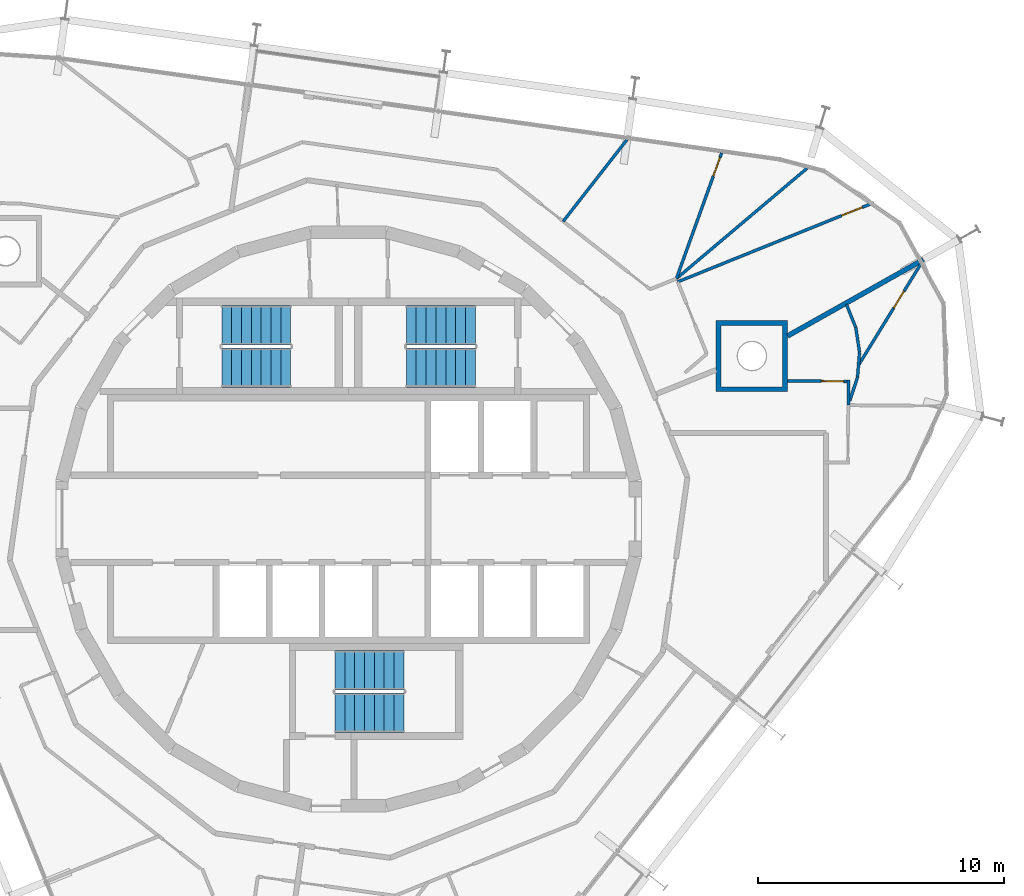
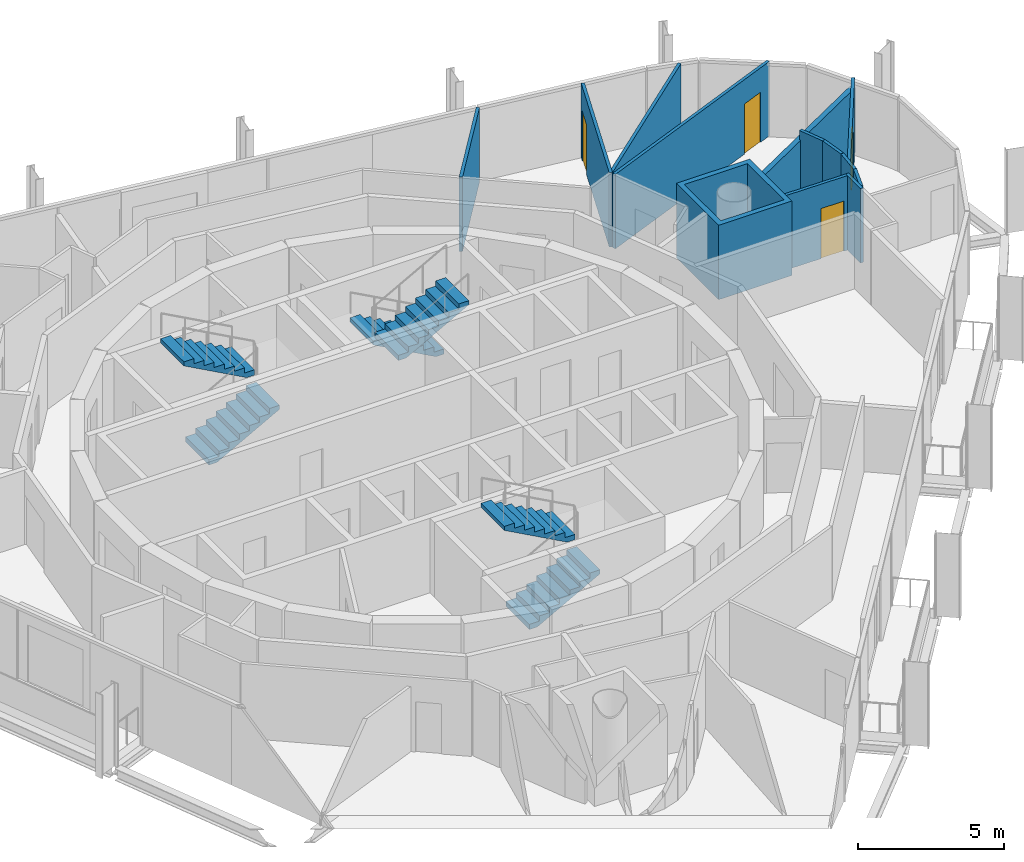
# One storey, part 14 of 15: 13 walls, 6 stair flights, 4 doors, 4 openings, 3 elements without a shape of their own.
"""IFC4 building model written with IfcOpenShell, lengths in metres."""

from ifc_helpers import new_model, si_unit, direction, frame, frame_2d, origin, place, context, subcontext, project, spatial, polyline, rectangle, outline, extrude, material, layer, layer_set, type_object, element, fill, aggregate, save


model = new_model("IFC4")

# Units and contexts
model_context = context("Model", 3, precision=1e-05, world=origin(), true_north=direction((0.0, 1.0)))
body_context = subcontext(model_context, "Body", "Model", "MODEL_VIEW")
ifc_project = project(units=[si_unit("LENGTHUNIT", "METRE"), si_unit("AREAUNIT", "SQUARE_METRE"), si_unit("VOLUMEUNIT", "CUBIC_METRE"), si_unit("PLANEANGLEUNIT", "RADIAN"), si_unit("MASSUNIT", "GRAM", prefix="KILO")], contexts=[model_context])

# Site, building, storey
site_placement = place(None, origin())
site = spatial("IfcSite", under=ifc_project, at=site_placement, CompositionType="ELEMENT")
building_placement = place(site_placement, origin())
building = spatial("IfcBuilding", under=site, at=building_placement, Name="Spindle Arch Residences", CompositionType="ELEMENT")
storey_placement = place(building_placement, frame((0.0, 0.0, 354.0)))
storey = spatial("IfcBuildingStorey", under=building, at=storey_placement, Name="L91", CompositionType="ELEMENT", Elevation=354.0)

# Wall
ifc_material_1 = material(Name="Plasterboard on steel studs", Category="steel")
ifc_layer_1 = layer(ifc_material_1, 0.1201171875)
ifc_layer_set_1 = layer_set([ifc_layer_1], Name="Flat partition 120")
wall_type_1 = type_object("IfcWallType", Name="Flat partition 120", PredefinedType="PARTITIONING", material=ifc_layer_set_1)
wall_1_placement = place(storey_placement, frame((20.30615234375, 4.638671875, 0.0), z_axis=(0.0, 0.0, 1.0), x_axis=(0.008906724211, 0.999960334345, 0.0)))
element("IfcWall", 1, at=wall_1_placement, inside=storey, type_object=wall_type_1, Name="Flat partition R9C0-W032", PredefinedType="PARTITIONING", context=body_context, shape_type="SweptSolid", body=[
    extrude(rectangle(XDim=1.01416015625, YDim=0.1201171875, at=frame_2d((0.507080078125, 0.0))), origin(), (0.0, 0.0, 1.0), 3.1201171875),
])

# Wall, opening, door
wall_2_placement = place(storey_placement, frame((20.314697265625, 5.593017578125, 0.0), z_axis=(0.0, 0.0, 1.0), x_axis=(-0.999960597409, 0.008877140833, 0.0)))
wall_2 = element("IfcWall", 2, at=wall_2_placement, inside=storey, type_object=wall_type_1, Name="Flat partition R9C0-W033", PredefinedType="PARTITIONING", context=body_context, shape_type="SweptSolid", body=[
    extrude(rectangle(XDim=2.47509765625, YDim=0.1201171875, at=frame_2d((1.237548828125, 0.0))), origin(), (0.0, 0.0, 1.0), 3.1201171875),
])
opening_1_placement = place(wall_2_placement, frame((0.199951171875, 0.0, 0.0)))
opening_1 = element("IfcOpeningElement", 3, at=opening_1_placement, cuts=wall_2, Name="Opening R9C0-ID02", PredefinedType="OPENING", context=body_context, shape_type="SweptSolid", body=[
    extrude(rectangle(XDim=0.89990234375, YDim=2.10009765625, at=frame_2d((0.449951171875, 1.050048828125))), frame((0.0, 0.070068359375, 0.0), z_axis=(0.0, -1.0, 0.0), x_axis=(1.0, 0.0, 0.0)), (0.0, 0.0, 1.0), 0.14013671875),
])
ifc_material_2 = material(Name="Timber door set", Category="wood")
door_type_1 = type_object("IfcDoorType", Name="Room door 900x2100", OperationType="NOTDEFINED", PredefinedType="DOOR", material=ifc_material_2)
door_1_placement = place(opening_1_placement, origin())
door_1 = element("IfcDoor", 4, at=door_1_placement, inside=storey, type_object=door_type_1, Name="Room door R9C0-ID02", OperationType="SINGLE_SWING_RIGHT", OverallHeight=2.10009765625, OverallWidth=0.89990234375, PredefinedType="DOOR", context=body_context, shape_type="SweptSolid", body=[
    extrude(rectangle(XDim=0.89990234375, YDim=2.10009765625, at=frame_2d((0.449951171875, 1.050048828125))), frame((0.0, 0.02490234375, 0.0), z_axis=(0.0, -1.0, 0.0), x_axis=(1.0, 0.0, 0.0)), (0.0, 0.0, 1.0), 0.050048828125),
])
fill(opening_1, door_1)

# Walls
wall_3_placement = place(storey_placement, frame((20.762451171875, 6.774658203125, 0.0), z_axis=(0.0, 0.0, 1.0), x_axis=(-0.08121587, -0.996696534789, 0.0)))
element("IfcWall", 5, at=wall_3_placement, inside=storey, type_object=wall_type_1, Name="Flat partition R9C0-W035", PredefinedType="PARTITIONING", context=body_context, shape_type="SweptSolid", body=[
    extrude(rectangle(XDim=1.01611328125, YDim=0.1201171875, at=frame_2d((0.508056640625, 0.0))), origin(), (0.0, 0.0, 1.0), 3.1201171875),
])
wall_4_placement = place(storey_placement, frame((20.679931640625, 5.761962890625, 0.0), z_axis=(0.0, 0.0, 1.0), x_axis=(-0.30908063779, -0.951035834942, 0.0)))
element("IfcWall", 6, at=wall_4_placement, inside=storey, type_object=wall_type_1, Name="Flat partition R9C0-W036", PredefinedType="PARTITIONING", context=body_context, shape_type="SweptSolid", body=[
    extrude(rectangle(XDim=1.015869140625, YDim=0.1201171875, at=frame_2d((0.5078125, 0.0))), origin(), (0.0, 0.0, 1.0), 3.1201171875),
])

# Wall, opening, door
wall_5_placement = place(storey_placement, frame((23.357421875, 10.532470703125, 0.0), z_axis=(0.0, 0.0, 1.0), x_axis=(-0.524476563806, -0.851424884542, 0.0)))
wall_5 = element("IfcWall", 7, at=wall_5_placement, inside=storey, type_object=wall_type_1, Name="Flat partition R9C0-W037", PredefinedType="PARTITIONING", context=body_context, shape_type="SweptSolid", body=[
    extrude(rectangle(XDim=5.029296875, YDim=0.1201171875, at=frame_2d((2.5146484375, 0.0))), origin(), (0.0, 0.0, 1.0), 3.1201171875),
])
opening_2_placement = place(wall_5_placement, frame((1.5, 0.0, 0.0)))
opening_2 = element("IfcOpeningElement", 8, at=opening_2_placement, cuts=wall_5, Name="Opening R9C0-BD01", PredefinedType="OPENING", context=body_context, shape_type="SweptSolid", body=[
    extrude(rectangle(XDim=0.800048828125, YDim=2.10009765625, at=frame_2d((0.39990234375, 1.050048828125))), frame((0.0, 0.070068359375, 0.0), z_axis=(0.0, -1.0, 0.0), x_axis=(1.0, 0.0, 0.0)), (0.0, 0.0, 1.0), 0.14013671875),
])
ifc_material_3 = material(Name="Timber door set", Category="wood")
door_type_2 = type_object("IfcDoorType", Name="Bathroom door 800x2100", OperationType="NOTDEFINED", PredefinedType="DOOR", material=ifc_material_3)
door_2_placement = place(opening_2_placement, origin())
door_2 = element("IfcDoor", 9, at=door_2_placement, inside=storey, type_object=door_type_2, Name="Bathroom door R9C0-BD01", OperationType="SINGLE_SWING_RIGHT", OverallHeight=2.10009765625, OverallWidth=0.800048828125, PredefinedType="DOOR", context=body_context, shape_type="SweptSolid", body=[
    extrude(rectangle(XDim=0.800048828125, YDim=2.10009765625, at=frame_2d((0.39990234375, 1.050048828125))), frame((0.0, 0.02490234375, 0.0), z_axis=(0.0, -1.0, 0.0), x_axis=(1.0, 0.0, 0.0)), (0.0, 0.0, 1.0), 0.050048828125),
])
fill(opening_2, door_2)

# Walls
wall_6_placement = place(storey_placement, frame((20.762451171875, 6.774658203125, 0.0), z_axis=(0.0, 0.0, 1.0), x_axis=(-0.150702440861, 0.988579169474, 0.0)))
element("IfcWall", 10, at=wall_6_placement, inside=storey, type_object=wall_type_1, Name="Flat partition R9C0-W038", PredefinedType="PARTITIONING", context=body_context, shape_type="SweptSolid", body=[
    extrude(rectangle(XDim=1.015869140625, YDim=0.1201171875, at=frame_2d((0.5078125, 0.0))), origin(), (0.0, 0.0, 1.0), 3.1201171875),
])
wall_7_placement = place(storey_placement, frame((20.609375, 7.77880859375, 0.0), z_axis=(0.0, 0.0, 1.0), x_axis=(-0.374371668856, 0.927278735633, 0.0)))
element("IfcWall", 11, at=wall_7_placement, inside=storey, type_object=wall_type_1, Name="Flat partition R9C0-W039", PredefinedType="PARTITIONING", context=body_context, shape_type="SweptSolid", body=[
    extrude(rectangle(XDim=1.01611328125, YDim=0.1201171875, at=frame_2d((0.508056640625, 0.0))), origin(), (0.0, 0.0, 1.0), 3.1201171875),
])

# Wall, opening, door
wall_8_placement = place(storey_placement, frame((21.33740234375, 12.852294921875, 0.0), z_axis=(0.0, 0.0, 1.0), x_axis=(-0.927185271553, -0.374603086232, 0.0)))
wall_8 = element("IfcWall", 12, at=wall_8_placement, inside=storey, type_object=wall_type_1, Name="Flat partition R9C0-W046", PredefinedType="PARTITIONING", context=body_context, shape_type="SweptSolid", body=[
    extrude(rectangle(XDim=8.58984375, YDim=0.1201171875, at=frame_2d((4.294921875, 0.0))), origin(), (0.0, 0.0, 1.0), 3.1201171875),
])
opening_3_placement = place(wall_8_placement, frame((0.5, 0.0, 0.0)))
opening_3 = element("IfcOpeningElement", 13, at=opening_3_placement, cuts=wall_8, Name="Opening R9C0-ID07", PredefinedType="OPENING", context=body_context, shape_type="SweptSolid", body=[
    extrude(rectangle(XDim=0.89990234375, YDim=2.10009765625, at=frame_2d((0.449951171875, 1.050048828125))), frame((0.0, 0.070068359375, 0.0), z_axis=(0.0, -1.0, 0.0), x_axis=(1.0, 0.0, 0.0)), (0.0, 0.0, 1.0), 0.14013671875),
])
door_3_placement = place(opening_3_placement, origin())
door_3 = element("IfcDoor", 14, at=door_3_placement, inside=storey, type_object=door_type_1, Name="Room door R9C0-ID07", OperationType="SINGLE_SWING_RIGHT", OverallHeight=2.10009765625, OverallWidth=0.89990234375, PredefinedType="DOOR", context=body_context, shape_type="SweptSolid", body=[
    extrude(rectangle(XDim=0.89990234375, YDim=2.10009765625, at=frame_2d((0.449951171875, 1.050048828125))), frame((0.0, 0.02490234375, 0.0), z_axis=(0.0, -1.0, 0.0), x_axis=(1.0, 0.0, 0.0)), (0.0, 0.0, 1.0), 0.050048828125),
])
fill(opening_3, door_3)

# Wall
wall_9_placement = place(storey_placement, frame((18.629638671875, 14.249267578125, 0.0), z_axis=(0.0, 0.0, 1.0), x_axis=(-0.763997588944, -0.64521909774, 0.0)))
element("IfcWall", 15, at=wall_9_placement, inside=storey, type_object=wall_type_1, Name="Flat partition R9C0-W047", PredefinedType="PARTITIONING", context=body_context, shape_type="SweptSolid", body=[
    extrude(rectangle(XDim=6.949462890625, YDim=0.1201171875, at=frame_2d((3.474609375, 0.0))), origin(), (0.0, 0.0, 1.0), 3.1201171875),
])

# Wall, opening, door
wall_10_placement = place(storey_placement, frame((15.16015625, 14.873291015625, 0.0), z_axis=(0.0, 0.0, 1.0), x_axis=(-0.338881884511, -0.940828926187, 0.0)))
wall_10 = element("IfcWall", 16, at=wall_10_placement, inside=storey, type_object=wall_type_1, Name="Flat partition R9C0-W048", PredefinedType="PARTITIONING", context=body_context, shape_type="SweptSolid", body=[
    extrude(rectangle(XDim=5.42919921875, YDim=0.1201171875, at=frame_2d((2.714599609375, 0.0))), origin(), (0.0, 0.0, 1.0), 3.1201171875),
])
opening_4_placement = place(wall_10_placement, frame((0.199951171875, 0.0, 0.0)))
opening_4 = element("IfcOpeningElement", 17, at=opening_4_placement, cuts=wall_10, Name="Opening R9C0-BD02", PredefinedType="OPENING", context=body_context, shape_type="SweptSolid", body=[
    extrude(rectangle(XDim=0.800048828125, YDim=2.10009765625, at=frame_2d((0.39990234375, 1.050048828125))), frame((0.0, 0.070068359375, 0.0), z_axis=(0.0, -1.0, 0.0), x_axis=(1.0, 0.0, 0.0)), (0.0, 0.0, 1.0), 0.14013671875),
])
door_4_placement = place(opening_4_placement, origin())
door_4 = element("IfcDoor", 18, at=door_4_placement, inside=storey, type_object=door_type_2, Name="Bathroom door R9C0-BD02", OperationType="SINGLE_SWING_LEFT", OverallHeight=2.10009765625, OverallWidth=0.800048828125, PredefinedType="DOOR", context=body_context, shape_type="SweptSolid", body=[
    extrude(rectangle(XDim=0.800048828125, YDim=2.10009765625, at=frame_2d((0.39990234375, 1.050048828125))), frame((0.0, 0.02490234375, 0.0), z_axis=(0.0, -1.0, 0.0), x_axis=(1.0, 0.0, 0.0)), (0.0, 0.0, 1.0), 0.050048828125),
])
fill(opening_4, door_4)

# Walls
wall_11_placement = place(storey_placement, frame((11.315185546875, 15.413818359375, 0.0), z_axis=(0.0, 0.0, 1.0), x_axis=(-0.615656413137, -0.788014708596, 0.0)))
element("IfcWall", 19, at=wall_11_placement, inside=storey, type_object=wall_type_1, Name="Flat partition R9C0-W049", PredefinedType="PARTITIONING", context=body_context, shape_type="SweptSolid", body=[
    extrude(rectangle(XDim=4.212646484375, YDim=0.1201171875, at=frame_2d((2.1064453125, 0.0))), origin(), (0.0, 0.0, 1.0), 3.1201171875),
])
ifc_material_4 = material(Name="Calcium silicate block, plastered")
ifc_layer_2 = layer(ifc_material_4, 0.199951171875)
ifc_layer_set_2 = layer_set([ifc_layer_2], Name="Flat party wall 200 under beam 2730")
wall_type_2 = type_object("IfcWallType", Name="Flat party wall 200 under beam 2730", PredefinedType="STANDARD", material=ifc_layer_set_2)
wall_12_placement = place(storey_placement, frame((23.354248046875, 10.536865234375, 0.0), z_axis=(0.0, 0.0, 1.0), x_axis=(-0.871719790551, -0.490004700754, 0.0)))
element("IfcWall", 20, at=wall_12_placement, inside=storey, type_object=wall_type_2, Name="Flat party wall R9C0-W024", PredefinedType="STANDARD", context=body_context, shape_type="SweptSolid", body=[
    extrude(rectangle(XDim=6.326171875, YDim=0.199951171875, at=frame_2d((3.1630859375, 0.0))), origin(), (0.0, 0.0, 1.0), 2.72998046875),
])
ifc_material_5 = material(Name="Calcium silicate block, plastered")
ifc_layer_3 = layer(ifc_material_5, 0.199951171875)
ifc_layer_set_3 = layer_set([ifc_layer_3], Name="Mega-column casing wall 200")
wall_type_3 = type_object("IfcWallType", Name="Mega-column casing wall 200", PredefinedType="STANDARD", material=ifc_layer_set_3)
wall_13_placement = place(storey_placement, origin())
element("IfcWall", 21, at=wall_13_placement, inside=storey, type_object=wall_type_3, Name="Mega-column casing wall R9C0-WC01", PredefinedType="STANDARD", context=body_context, shape_type="SweptSolid", body=[
    extrude(outline(polyline([(17.839599609375, 8.072021484375), (17.839599609375, 5.171875), (14.939697265625, 5.171875), (14.939697265625, 8.072021484375), (17.839599609375, 8.072021484375)]), holes=[polyline([(15.1396484375, 5.371826171875), (17.6396484375, 5.371826171875), (17.6396484375, 7.871826171875), (15.1396484375, 7.871826171875), (15.1396484375, 5.371826171875)])]), origin(), (0.0, 0.0, 1.0), 3.1201171875),
])

# Stair, stair flights
ifc_material_6 = material(Name="Concrete C50/60", Category="concrete")
stair_type = type_object("IfcStairType", Name="Exit stair 16 risers", PredefinedType="HALF_TURN_STAIR", material=ifc_material_6)
stair_1_placement = place(storey_placement, origin())
stair_1 = element("IfcStair", 22, at=stair_1_placement, inside=storey, type_object=stair_type, Name="L91 Exit stair ST1", PredefinedType="HALF_TURN_STAIR")
ifc_material_7 = material(Name="Concrete C50/60", Category="concrete")
stair_flight_type = type_object("IfcStairFlightType", Name="Exit stair flight", PredefinedType="STRAIGHT", material=ifc_material_7)
stair_flight_1_placement = place(storey_placement, frame((5.14990234375, 7.8701171875, 0.0), z_axis=(0.0, 0.0, 1.0), x_axis=(-1.0, 0.0, 0.0)))
stair_flight_1 = element("IfcStairFlight", 23, at=stair_flight_1_placement, type_object=stair_flight_type, Name="ST1 flight 1", NumberOfRisers=8, NumberOfTreads=7, PredefinedType="STRAIGHT", RiserHeight=0.21875, TreadLength=0.4, context=body_context, shape_type="SweptSolid", body=[
    extrude(outline(polyline([(0.0, 0.0), (0.0, 0.21875), (0.39990234375, 0.21875), (0.39990234375, 0.4375), (0.800048828125, 0.4375), (0.800048828125, 0.65625), (1.199951171875, 0.65625), (1.199951171875, 0.875), (1.60009765625, 0.875), (1.60009765625, 1.09375), (2.0, 1.09375), (2.0, 1.3125), (2.39990234375, 1.3125), (2.39990234375, 1.53125), (2.800048828125, 1.53125), (2.800048828125, 1.75), (2.800048828125, 1.3603515625), (0.3125, 0.0), (0.0, 0.0)])), frame((0.0, 0.800048828125, 0.0), z_axis=(0.0, -1.0, 0.0), x_axis=(1.0, 0.0, 0.0)), (0.0, 0.0, 1.0), 1.60009765625),
])
stair_flight_2_placement = place(storey_placement, frame((2.35009765625, 6.14990234375, 1.75), z_axis=(0.0, 0.0, 1.0), x_axis=(1.0, 0.0, 0.0)))
stair_flight_2 = element("IfcStairFlight", 24, at=stair_flight_2_placement, type_object=stair_flight_type, Name="ST1 flight 2", NumberOfRisers=8, NumberOfTreads=7, PredefinedType="STRAIGHT", RiserHeight=0.21875, TreadLength=0.4, context=body_context, shape_type="SweptSolid", body=[
    extrude(outline(polyline([(0.0, 0.0), (0.0, 0.21875), (0.39990234375, 0.21875), (0.39990234375, 0.4375), (0.800048828125, 0.4375), (0.800048828125, 0.65625), (1.199951171875, 0.65625), (1.199951171875, 0.875), (1.60009765625, 0.875), (1.60009765625, 1.09375), (2.0, 1.09375), (2.0, 1.3125), (2.39990234375, 1.3125), (2.39990234375, 1.53125), (2.800048828125, 1.53125), (2.800048828125, 1.75), (2.800048828125, 1.3603515625), (0.3125, 0.0), (0.0, 0.0)])), frame((0.0, 0.800048828125, 0.0), z_axis=(0.0, -1.0, 0.0), x_axis=(1.0, 0.0, 0.0)), (0.0, 0.0, 1.0), 1.60009765625),
])
aggregate(stair_1, [stair_flight_1, stair_flight_2])

stair_2_placement = place(storey_placement, origin())
stair_2 = element("IfcStair", 25, at=stair_2_placement, inside=storey, type_object=stair_type, Name="L91 Exit stair ST2", PredefinedType="HALF_TURN_STAIR")
stair_flight_3_placement = place(storey_placement, frame((-5.14990234375, 6.14990234375, 0.0), z_axis=(0.0, 0.0, 1.0), x_axis=(1.0, 0.0, 0.0)))
stair_flight_3 = element("IfcStairFlight", 26, at=stair_flight_3_placement, type_object=stair_flight_type, Name="ST2 flight 1", NumberOfRisers=8, NumberOfTreads=7, PredefinedType="STRAIGHT", RiserHeight=0.21875, TreadLength=0.4, context=body_context, shape_type="SweptSolid", body=[
    extrude(outline(polyline([(0.0, 0.0), (0.0, 0.21875), (0.39990234375, 0.21875), (0.39990234375, 0.4375), (0.800048828125, 0.4375), (0.800048828125, 0.65625), (1.199951171875, 0.65625), (1.199951171875, 0.875), (1.60009765625, 0.875), (1.60009765625, 1.09375), (2.0, 1.09375), (2.0, 1.3125), (2.39990234375, 1.3125), (2.39990234375, 1.53125), (2.800048828125, 1.53125), (2.800048828125, 1.75), (2.800048828125, 1.3603515625), (0.3125, 0.0), (0.0, 0.0)])), frame((0.0, 0.800048828125, 0.0), z_axis=(0.0, -1.0, 0.0), x_axis=(1.0, 0.0, 0.0)), (0.0, 0.0, 1.0), 1.60009765625),
])
stair_flight_4_placement = place(storey_placement, frame((-2.35009765625, 7.8701171875, 1.75), z_axis=(0.0, 0.0, 1.0), x_axis=(-1.0, 0.0, 0.0)))
stair_flight_4 = element("IfcStairFlight", 27, at=stair_flight_4_placement, type_object=stair_flight_type, Name="ST2 flight 2", NumberOfRisers=8, NumberOfTreads=7, PredefinedType="STRAIGHT", RiserHeight=0.21875, TreadLength=0.4, context=body_context, shape_type="SweptSolid", body=[
    extrude(outline(polyline([(0.0, 0.0), (0.0, 0.21875), (0.39990234375, 0.21875), (0.39990234375, 0.4375), (0.800048828125, 0.4375), (0.800048828125, 0.65625), (1.199951171875, 0.65625), (1.199951171875, 0.875), (1.60009765625, 0.875), (1.60009765625, 1.09375), (2.0, 1.09375), (2.0, 1.3125), (2.39990234375, 1.3125), (2.39990234375, 1.53125), (2.800048828125, 1.53125), (2.800048828125, 1.75), (2.800048828125, 1.3603515625), (0.3125, 0.0), (0.0, 0.0)])), frame((0.0, 0.800048828125, 0.0), z_axis=(0.0, -1.0, 0.0), x_axis=(1.0, 0.0, 0.0)), (0.0, 0.0, 1.0), 1.60009765625),
])
aggregate(stair_2, [stair_flight_3, stair_flight_4])

stair_3_placement = place(storey_placement, origin())
stair_3 = element("IfcStair", 28, at=stair_3_placement, inside=storey, type_object=stair_type, Name="L91 Exit stair ST3", PredefinedType="HALF_TURN_STAIR")
stair_flight_5_placement = place(storey_placement, frame((-0.550048828125, -7.8701171875, 0.0), z_axis=(0.0, 0.0, 1.0), x_axis=(1.0, 0.0, 0.0)))
stair_flight_5 = element("IfcStairFlight", 29, at=stair_flight_5_placement, type_object=stair_flight_type, Name="ST3 flight 1", NumberOfRisers=8, NumberOfTreads=7, PredefinedType="STRAIGHT", RiserHeight=0.21875, TreadLength=0.4, context=body_context, shape_type="SweptSolid", body=[
    extrude(outline(polyline([(0.0, 0.0), (0.0, 0.21875), (0.39990234375, 0.21875), (0.39990234375, 0.4375), (0.800048828125, 0.4375), (0.800048828125, 0.65625), (1.199951171875, 0.65625), (1.199951171875, 0.875), (1.60009765625, 0.875), (1.60009765625, 1.09375), (2.0, 1.09375), (2.0, 1.3125), (2.39990234375, 1.3125), (2.39990234375, 1.53125), (2.800048828125, 1.53125), (2.800048828125, 1.75), (2.800048828125, 1.3603515625), (0.3125, 0.0), (0.0, 0.0)])), frame((0.0, 0.800048828125, 0.0), z_axis=(0.0, -1.0, 0.0), x_axis=(1.0, 0.0, 0.0)), (0.0, 0.0, 1.0), 1.60009765625),
])
stair_flight_6_placement = place(storey_placement, frame((2.25, -6.14990234375, 1.75), z_axis=(0.0, 0.0, 1.0), x_axis=(-1.0, 0.0, 0.0)))
stair_flight_6 = element("IfcStairFlight", 30, at=stair_flight_6_placement, type_object=stair_flight_type, Name="ST3 flight 2", NumberOfRisers=8, NumberOfTreads=7, PredefinedType="STRAIGHT", RiserHeight=0.21875, TreadLength=0.4, context=body_context, shape_type="SweptSolid", body=[
    extrude(outline(polyline([(0.0, 0.0), (0.0, 0.21875), (0.39990234375, 0.21875), (0.39990234375, 0.4375), (0.800048828125, 0.4375), (0.800048828125, 0.65625), (1.199951171875, 0.65625), (1.199951171875, 0.875), (1.60009765625, 0.875), (1.60009765625, 1.09375), (2.0, 1.09375), (2.0, 1.3125), (2.39990234375, 1.3125), (2.39990234375, 1.53125), (2.800048828125, 1.53125), (2.800048828125, 1.75), (2.800048828125, 1.3603515625), (0.3125, 0.0), (0.0, 0.0)])), frame((0.0, 0.800048828125, 0.0), z_axis=(0.0, -1.0, 0.0), x_axis=(1.0, 0.0, 0.0)), (0.0, 0.0, 1.0), 1.60009765625),
])
aggregate(stair_3, [stair_flight_5, stair_flight_6])

save(model, "model.ifc")
